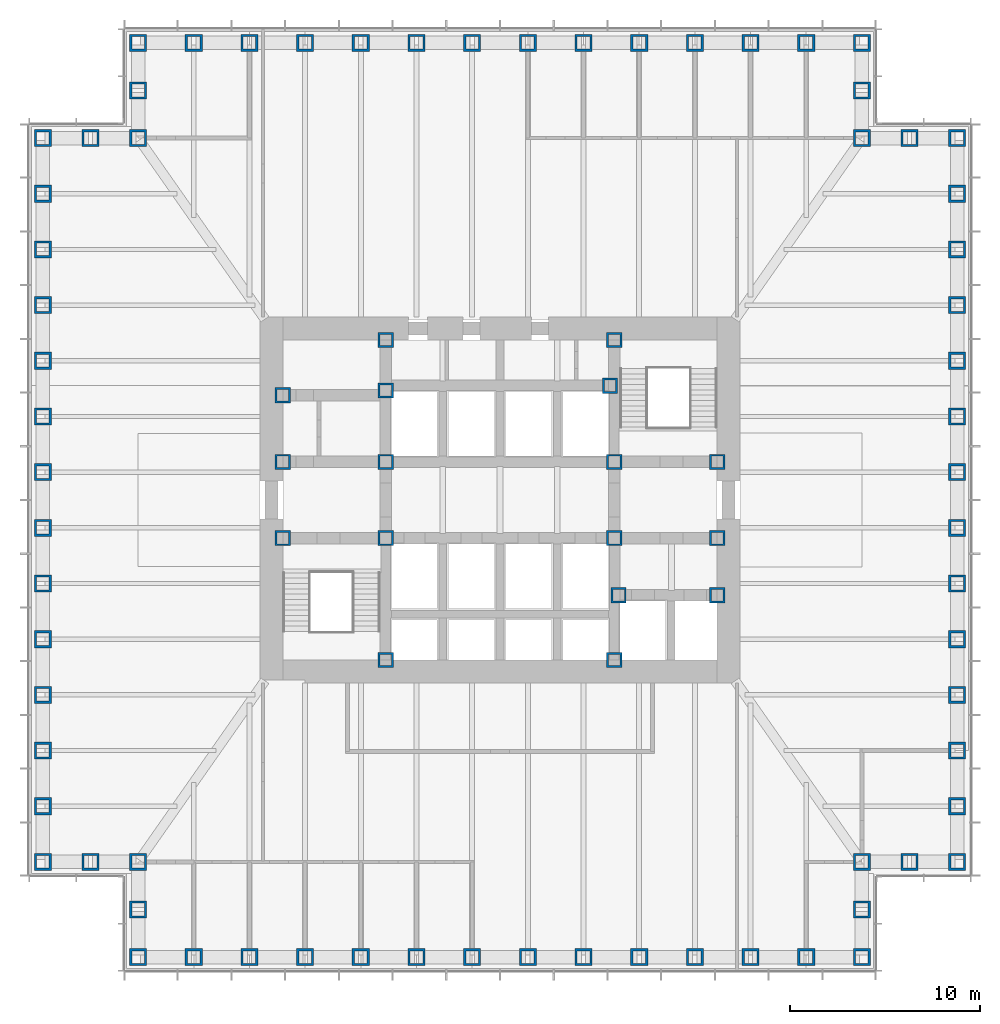
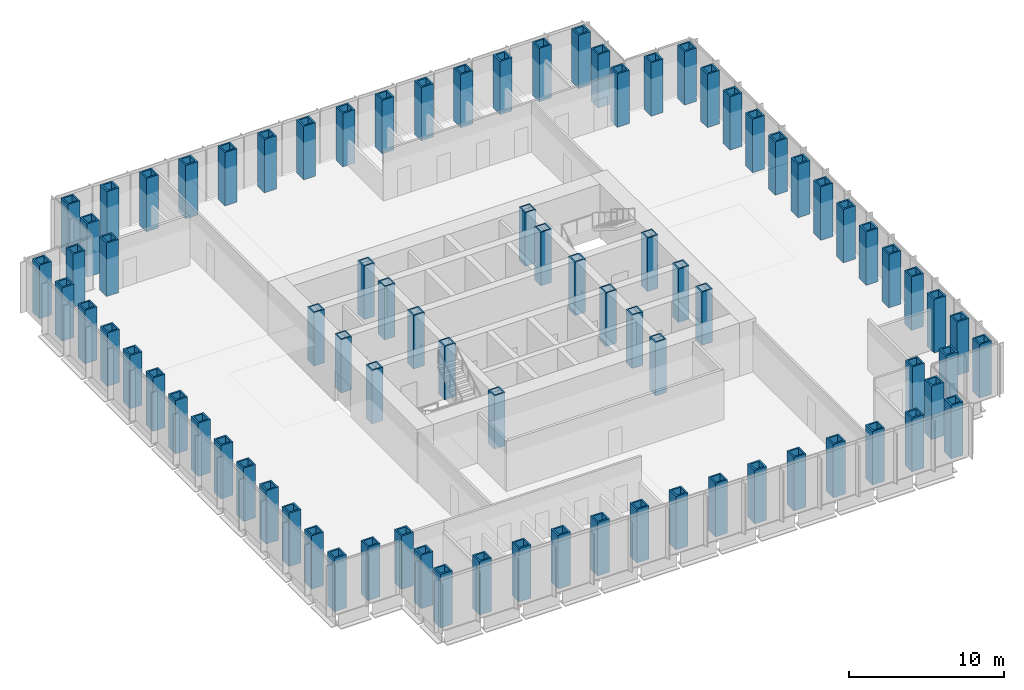
# One storey, part 1 of 17: 85 columns.
"""IFC4 building model written with IfcOpenShell, lengths in metres."""

from ifc_helpers import new_model, si_unit, direction, frame, origin, origin_2d, place, context, subcontext, project, spatial, hollow_rectangle, extrude, material, material_profile, profile_set, type_object, element, save


model = new_model("IFC4")

# Units and contexts
model_context = context("Model", 3, precision=1e-05, world=origin(), true_north=direction((0.0, 1.0)))
body_context = subcontext(model_context, "Body", "Model", "MODEL_VIEW")
ifc_project = project(units=[si_unit("LENGTHUNIT", "METRE"), si_unit("AREAUNIT", "SQUARE_METRE"), si_unit("VOLUMEUNIT", "CUBIC_METRE"), si_unit("PLANEANGLEUNIT", "RADIAN"), si_unit("MASSUNIT", "GRAM", prefix="KILO")], contexts=[model_context])

# Site, building, storey
site_placement = place(None, origin())
site = spatial("IfcSite", under=ifc_project, at=site_placement, CompositionType="ELEMENT")
building_placement = place(site_placement, origin())
building = spatial("IfcBuilding", under=site, at=building_placement, Name="Daluyong Arena Tower", CompositionType="ELEMENT")
storey_placement = place(building_placement, frame((0.0, 0.0, 97.89990234375)))
storey = spatial("IfcBuildingStorey", under=building, at=storey_placement, Name="L21", CompositionType="ELEMENT", Elevation=97.89990234375)

# Columns
ifc_material_1 = material(Name="Steel ASTM A572 Grade 50", Category="steel")
ifc_material_profile_1 = material_profile(ifc_material_1, hollow_rectangle(XDim=0.800048828125, YDim=0.800048828125, WallThickness=0.1, at=origin_2d()))
ifc_profile_set_1 = profile_set([ifc_material_profile_1], Name="Steel ASTM A572 Grade 50")
column_type_1 = type_object("IfcColumnType", Name="Core boundary column BX800X100", PredefinedType="COLUMN", material=ifc_profile_set_1)
for number, where, z_axis, x_axis, name in (
    (1, (44.60009765625, 78.0, 0.0), (0.0, 0.0, 1.0), (1.0, 0.0, 0.0), "core boundary column BC2"),
    (2, (44.60009765625, 82.0, 0.0), (0.0, 0.0, 1.0), (1.0, 0.0, 0.0), "core boundary column BC2"),
    (3, (44.60009765625, 85.5, 0.0), (0.0, 0.0, 1.0), (1.0, 0.0, 0.0), "core boundary column BC2"),
    (4, (50.0, 71.60009765625, 0.0), (0.0, 0.0, 1.0), (1.0, 0.0, 0.0), "core boundary column BC2"),
    (5, (50.0, 78.0, 0.0), (0.0, 0.0, 1.0), (1.0, 0.0, 0.0), "core boundary column BC2"),
    (6, (50.0, 82.0, 0.0), (0.0, 0.0, 1.0), (1.0, 0.0, 0.0), "core boundary column BC2"),
    (7, (50.0, 85.75, 0.0), (0.0, 0.0, 1.0), (1.0, 0.0, 0.0), "core boundary column BC2"),
    (8, (50.0, 88.39990234375, 0.0), (0.0, 0.0, 1.0), (1.0, 0.0, 0.0), "core boundary column BC2"),
    (9, (61.77490234375, 86.0, 0.0), (0.0, 0.0, 1.0), (1.0, 0.0, 0.0), "core boundary column BC2"),
    (10, (62.0, 71.60009765625, 0.0), (0.0, 0.0, 1.0), (1.0, 0.0, 0.0), "core boundary column BC2"),
    (11, (62.0, 78.0, 0.0), (0.0, 0.0, 1.0), (1.0, 0.0, 0.0), "core boundary column BC2"),
    (12, (62.0, 82.0, 0.0), (0.0, 0.0, 1.0), (1.0, 0.0, 0.0), "core boundary column BC2"),
    (13, (62.0, 88.39990234375, 0.0), (0.0, 0.0, 1.0), (1.0, 0.0, 0.0), "core boundary column BC2"),
    (14, (62.22509765625, 75.0, 0.0), (0.0, 0.0, 1.0), (1.0, 0.0, 0.0), "core boundary column BC2"),
    (15, (67.39990234375, 75.0, 0.0), (0.0, 0.0, 1.0), (1.0, 0.0, 0.0), "core boundary column BC2"),
    (16, (67.39990234375, 78.0, 0.0), (0.0, 0.0, 1.0), (1.0, 0.0, 0.0), "core boundary column BC2"),
    (17, (67.39990234375, 82.0, 0.0), (0.0, 0.0, 1.0), (1.0, 0.0, 0.0), "core boundary column BC2"),
):
    element("IfcColumn", number, at=place(storey_placement, frame(where, z_axis=z_axis, x_axis=x_axis)), inside=storey, type_object=column_type_1, Name=name, PredefinedType="COLUMN", context=body_context, shape_type="SweptSolid", body=[
        extrude(hollow_rectangle(XDim=0.800048828125, YDim=0.800048828125, WallThickness=0.1, at=origin_2d()), origin(), (0.0, 0.0, 1.0), 4.2001953125),
    ])
ifc_material_2 = material(Name="Steel ASTM A588 Grade 50", Category="steel")
ifc_material_profile_2 = material_profile(ifc_material_2, hollow_rectangle(XDim=0.89990234375, YDim=0.89990234375, WallThickness=0.12, at=origin_2d()))
ifc_profile_set_2 = profile_set([ifc_material_profile_2], Name="Steel ASTM A588 Grade 50")
column_type_2 = type_object("IfcColumnType", Name="Tube column BX900X120 BX900X120", PredefinedType="COLUMN", material=ifc_profile_set_2)
for number, where, z_axis, x_axis, name in (
    (18, (37.0, 56.0, 0.0), (0.0, 0.0, 1.0), (1.0, 0.0, 0.0), "tube column bx900x120 TC4"),
    (19, (39.923095703125, 56.0, 0.0), (0.0, 0.0, 1.0), (1.0, 0.0, 0.0), "tube column bx900x120 TC4"),
    (20, (42.84619140625, 56.0, 0.0), (0.0, 0.0, 1.0), (1.0, 0.0, 0.0), "tube column bx900x120 TC4"),
    (21, (45.769287109375, 56.0, 0.0), (0.0, 0.0, 1.0), (1.0, 0.0, 0.0), "tube column bx900x120 TC4"),
    (22, (48.6923828125, 56.0, 0.0), (0.0, 0.0, 1.0), (1.0, 0.0, 0.0), "tube column bx900x120 TC4"),
    (23, (51.615478515625, 56.0, 0.0), (0.0, 0.0, 1.0), (1.0, 0.0, 0.0), "tube column bx900x120 TC4"),
    (24, (54.53857421875, 56.0, 0.0), (0.0, 0.0, 1.0), (1.0, 0.0, 0.0), "tube column bx900x120 TC4"),
    (25, (57.46142578125, 56.0, 0.0), (0.0, 0.0, 1.0), (1.0, 0.0, 0.0), "tube column bx900x120 TC4"),
    (26, (60.384521484375, 56.0, 0.0), (0.0, 0.0, 1.0), (1.0, 0.0, 0.0), "tube column bx900x120 TC4"),
    (27, (63.3076171875, 56.0, 0.0), (0.0, 0.0, 1.0), (1.0, 0.0, 0.0), "tube column bx900x120 TC4"),
    (28, (66.230712890625, 56.0, 0.0), (0.0, 0.0, 1.0), (1.0, 0.0, 0.0), "tube column bx900x120 TC4"),
    (29, (69.15380859375, 56.0, 0.0), (0.0, 0.0, 1.0), (1.0, 0.0, 0.0), "tube column bx900x120 TC4"),
    (30, (72.076904296875, 56.0, 0.0), (0.0, 0.0, 1.0), (1.0, 0.0, 0.0), "tube column bx900x120 TC4"),
    (31, (75.0, 56.0, 0.0), (0.0, 0.0, 1.0), (0.0, 1.0, 0.0), "tube column bx900x120 TC4"),
    (32, (75.0, 58.5, 0.0), (0.0, 0.0, 1.0), (0.0, 1.0, 0.0), "tube column bx900x120 TC4"),
    (33, (75.0, 61.0, 0.0), (0.0, 0.0, 1.0), (1.0, 0.0, 0.0), "tube column bx900x120 TC4"),
    (34, (77.5, 61.0, 0.0), (0.0, 0.0, 1.0), (1.0, 0.0, 0.0), "tube column bx900x120 TC4"),
    (35, (80.0, 61.0, 0.0), (0.0, 0.0, 1.0), (0.0, 1.0, 0.0), "tube column bx900x120 TC4"),
    (36, (80.0, 63.923095703125, 0.0), (0.0, 0.0, 1.0), (0.0, 1.0, 0.0), "tube column bx900x120 TC4"),
    (37, (80.0, 66.84619140625, 0.0), (0.0, 0.0, 1.0), (0.0, 1.0, 0.0), "tube column bx900x120 TC4"),
    (38, (80.0, 69.769287109375, 0.0), (0.0, 0.0, 1.0), (0.0, 1.0, 0.0), "tube column bx900x120 TC4"),
    (39, (80.0, 72.6923828125, 0.0), (0.0, 0.0, 1.0), (0.0, 1.0, 0.0), "tube column bx900x120 TC4"),
    (40, (80.0, 75.615478515625, 0.0), (0.0, 0.0, 1.0), (0.0, 1.0, 0.0), "tube column bx900x120 TC4"),
    (41, (80.0, 78.53857421875, 0.0), (0.0, 0.0, 1.0), (0.0, 1.0, 0.0), "tube column bx900x120 TC4"),
    (42, (80.0, 81.46142578125, 0.0), (0.0, 0.0, 1.0), (0.0, 1.0, 0.0), "tube column bx900x120 TC4"),
    (43, (80.0, 84.384521484375, 0.0), (0.0, 0.0, 1.0), (0.0, 1.0, 0.0), "tube column bx900x120 TC4"),
    (44, (80.0, 87.3076171875, 0.0), (0.0, 0.0, 1.0), (0.0, 1.0, 0.0), "tube column bx900x120 TC4"),
    (45, (80.0, 90.230712890625, 0.0), (0.0, 0.0, 1.0), (0.0, 1.0, 0.0), "tube column bx900x120 TC4"),
    (46, (80.0, 93.15380859375, 0.0), (0.0, 0.0, 1.0), (0.0, 1.0, 0.0), "tube column bx900x120 TC4"),
    (47, (80.0, 96.076904296875, 0.0), (0.0, 0.0, 1.0), (0.0, 1.0, 0.0), "tube column bx900x120 TC4"),
    (48, (80.0, 99.0, 0.0), (0.0, 0.0, 1.0), (1.0, 0.0, 0.0), "tube column bx900x120 TC4"),
    (49, (77.5, 99.0, 0.0), (0.0, 0.0, 1.0), (1.0, 0.0, 0.0), "tube column bx900x120 TC4"),
    (50, (75.0, 99.0, 0.0), (0.0, 0.0, 1.0), (0.0, 1.0, 0.0), "tube column bx900x120 TC4"),
    (51, (75.0, 101.5, 0.0), (0.0, 0.0, 1.0), (0.0, 1.0, 0.0), "tube column bx900x120 TC4"),
    (52, (75.0, 104.0, 0.0), (0.0, 0.0, 1.0), (1.0, 0.0, 0.0), "tube column bx900x120 TC4"),
    (53, (72.076904296875, 104.0, 0.0), (0.0, 0.0, 1.0), (1.0, 0.0, 0.0), "tube column bx900x120 TC4"),
    (54, (69.15380859375, 104.0, 0.0), (0.0, 0.0, 1.0), (1.0, 0.0, 0.0), "tube column bx900x120 TC4"),
    (55, (66.230712890625, 104.0, 0.0), (0.0, 0.0, 1.0), (1.0, 0.0, 0.0), "tube column bx900x120 TC4"),
    (56, (63.3076171875, 104.0, 0.0), (0.0, 0.0, 1.0), (1.0, 0.0, 0.0), "tube column bx900x120 TC4"),
    (57, (60.384521484375, 104.0, 0.0), (0.0, 0.0, 1.0), (1.0, 0.0, 0.0), "tube column bx900x120 TC4"),
    (58, (57.46142578125, 104.0, 0.0), (0.0, 0.0, 1.0), (1.0, 0.0, 0.0), "tube column bx900x120 TC4"),
    (59, (54.53857421875, 104.0, 0.0), (0.0, 0.0, 1.0), (1.0, 0.0, 0.0), "tube column bx900x120 TC4"),
    (60, (51.615478515625, 104.0, 0.0), (0.0, 0.0, 1.0), (1.0, 0.0, 0.0), "tube column bx900x120 TC4"),
    (61, (48.6923828125, 104.0, 0.0), (0.0, 0.0, 1.0), (1.0, 0.0, 0.0), "tube column bx900x120 TC4"),
    (62, (45.769287109375, 104.0, 0.0), (0.0, 0.0, 1.0), (1.0, 0.0, 0.0), "tube column bx900x120 TC4"),
    (63, (42.84619140625, 104.0, 0.0), (0.0, 0.0, 1.0), (1.0, 0.0, 0.0), "tube column bx900x120 TC4"),
    (64, (39.923095703125, 104.0, 0.0), (0.0, 0.0, 1.0), (1.0, 0.0, 0.0), "tube column bx900x120 TC4"),
    (65, (37.0, 104.0, 0.0), (0.0, 0.0, 1.0), (0.0, 1.0, 0.0), "tube column bx900x120 TC4"),
    (66, (37.0, 101.5, 0.0), (0.0, 0.0, 1.0), (0.0, 1.0, 0.0), "tube column bx900x120 TC4"),
    (67, (37.0, 99.0, 0.0), (0.0, 0.0, 1.0), (1.0, 0.0, 0.0), "tube column bx900x120 TC4"),
    (68, (34.5, 99.0, 0.0), (0.0, 0.0, 1.0), (1.0, 0.0, 0.0), "tube column bx900x120 TC4"),
    (69, (32.0, 99.0, 0.0), (0.0, 0.0, 1.0), (0.0, 1.0, 0.0), "tube column bx900x120 TC4"),
    (70, (32.0, 96.076904296875, 0.0), (0.0, 0.0, 1.0), (0.0, 1.0, 0.0), "tube column bx900x120 TC4"),
    (71, (32.0, 93.15380859375, 0.0), (0.0, 0.0, 1.0), (0.0, 1.0, 0.0), "tube column bx900x120 TC4"),
    (72, (32.0, 90.230712890625, 0.0), (0.0, 0.0, 1.0), (0.0, 1.0, 0.0), "tube column bx900x120 TC4"),
    (73, (32.0, 87.3076171875, 0.0), (0.0, 0.0, 1.0), (0.0, 1.0, 0.0), "tube column bx900x120 TC4"),
    (74, (32.0, 84.384521484375, 0.0), (0.0, 0.0, 1.0), (0.0, 1.0, 0.0), "tube column bx900x120 TC4"),
    (75, (32.0, 81.46142578125, 0.0), (0.0, 0.0, 1.0), (0.0, 1.0, 0.0), "tube column bx900x120 TC4"),
    (76, (32.0, 78.53857421875, 0.0), (0.0, 0.0, 1.0), (0.0, 1.0, 0.0), "tube column bx900x120 TC4"),
    (77, (32.0, 75.615478515625, 0.0), (0.0, 0.0, 1.0), (0.0, 1.0, 0.0), "tube column bx900x120 TC4"),
    (78, (32.0, 72.6923828125, 0.0), (0.0, 0.0, 1.0), (0.0, 1.0, 0.0), "tube column bx900x120 TC4"),
    (79, (32.0, 69.769287109375, 0.0), (0.0, 0.0, 1.0), (0.0, 1.0, 0.0), "tube column bx900x120 TC4"),
    (80, (32.0, 66.84619140625, 0.0), (0.0, 0.0, 1.0), (0.0, 1.0, 0.0), "tube column bx900x120 TC4"),
    (81, (32.0, 63.923095703125, 0.0), (0.0, 0.0, 1.0), (0.0, 1.0, 0.0), "tube column bx900x120 TC4"),
    (82, (32.0, 61.0, 0.0), (0.0, 0.0, 1.0), (1.0, 0.0, 0.0), "tube column bx900x120 TC4"),
    (83, (34.5, 61.0, 0.0), (0.0, 0.0, 1.0), (1.0, 0.0, 0.0), "tube column bx900x120 TC4"),
    (84, (37.0, 61.0, 0.0), (0.0, 0.0, 1.0), (0.0, 1.0, 0.0), "tube column bx900x120 TC4"),
    (85, (37.0, 58.5, 0.0), (0.0, 0.0, 1.0), (0.0, 1.0, 0.0), "tube column bx900x120 TC4"),
):
    element("IfcColumn", number, at=place(storey_placement, frame(where, z_axis=z_axis, x_axis=x_axis)), inside=storey, type_object=column_type_2, Name=name, PredefinedType="COLUMN", context=body_context, shape_type="SweptSolid", body=[
        extrude(hollow_rectangle(XDim=0.89990234375, YDim=0.89990234375, WallThickness=0.12, at=origin_2d()), origin(), (0.0, 0.0, 1.0), 4.2001953125),
    ])

save(model, "model.ifc")
